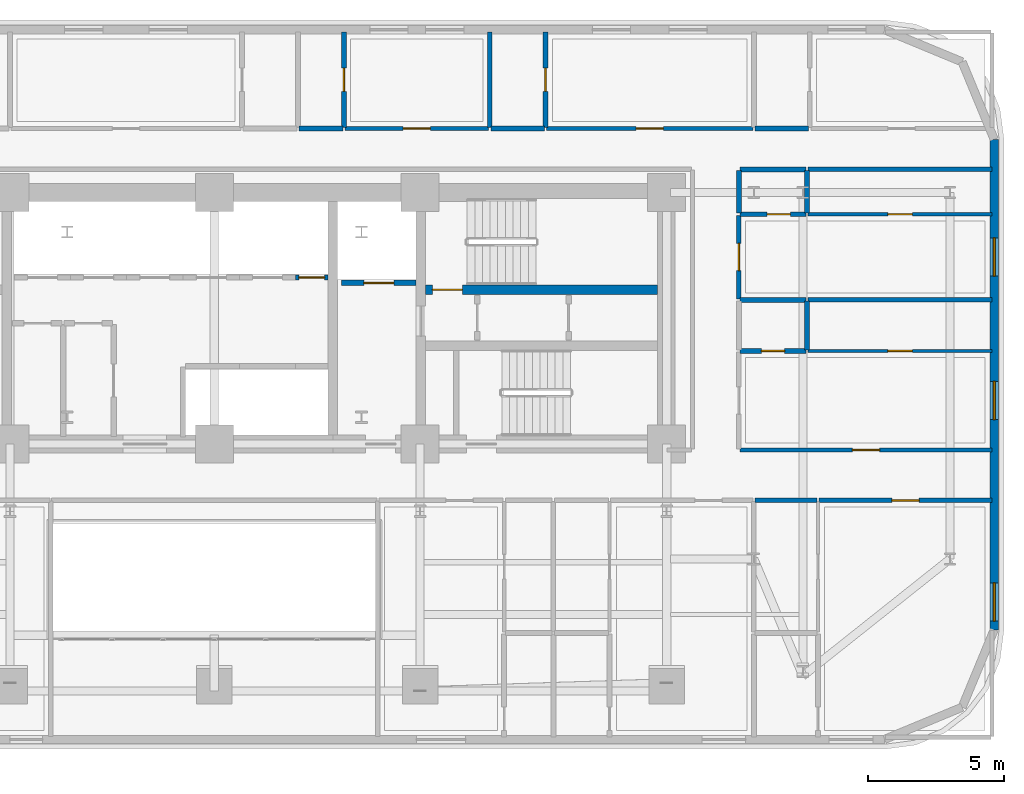
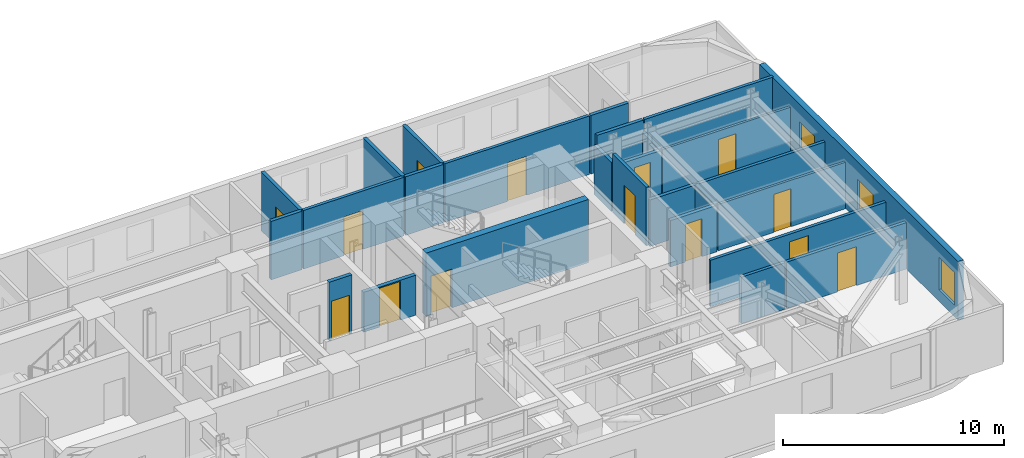
# One storey, part 12 of 16: 27 walls, 14 doors, 3 windows, 17 openings.
"""IFC4 building model written with IfcOpenShell, lengths in metres."""

from ifc_helpers import new_model, si_unit, direction, frame, frame_2d, origin, place, context, subcontext, project, spatial, rectangle, extrude, material, layer, layer_set, type_object, element, fill, save


model = new_model("IFC4")

# Units and contexts
model_context = context("Model", 3, precision=1e-05, world=origin(), true_north=direction((0.0, 1.0)))
body_context = subcontext(model_context, "Body", "Model", "MODEL_VIEW")
ifc_project = project(units=[si_unit("LENGTHUNIT", "METRE"), si_unit("AREAUNIT", "SQUARE_METRE"), si_unit("VOLUMEUNIT", "CUBIC_METRE"), si_unit("PLANEANGLEUNIT", "RADIAN"), si_unit("MASSUNIT", "GRAM", prefix="KILO")], contexts=[model_context])

# Site, building, storey
site_placement = place(None, origin())
site = spatial("IfcSite", under=ifc_project, at=site_placement, CompositionType="ELEMENT")
building_placement = place(site_placement, origin())
building = spatial("IfcBuilding", under=site, at=building_placement, Name="Zarnavel Station Tower", CompositionType="ELEMENT")
storey_placement = place(building_placement, frame((0.0, 0.0, 79.300048828125)))
storey = spatial("IfcBuildingStorey", under=building, at=storey_placement, Name="L21", CompositionType="ELEMENT", Elevation=79.300048828125)

# Wall, opening, door
ifc_material_1 = material(Name="Concrete C50/60", Category="concrete")
ifc_layer_1 = layer(ifc_material_1, 0.35009765625)
ifc_layer_set_1 = layer_set([ifc_layer_1], Name="CW_350")
wall_type_1 = type_object("IfcWallType", Name="CW_350", PredefinedType="SHEAR", material=ifc_layer_set_1)
wall_1_placement = place(storey_placement, frame((45.054931640625, 33.47998046875, 0.0), z_axis=(0.0, 0.0, 1.0), x_axis=(-1.0, 0.0, 0.0)))
wall_1 = element("IfcWall", 1, at=wall_1_placement, inside=storey, type_object=wall_type_1, Name="L21 Rear Core Shear Wall DIV-H2", PredefinedType="SHEAR", context=body_context, shape_type="SweptSolid", body=[
    extrude(rectangle(XDim=8.5, YDim=0.35009765625, at=frame_2d((4.25, 0.0))), origin(), (0.0, 0.0, 1.0), 3.5),
])
opening_1_placement = place(wall_1_placement, frame((7.155029296875, 0.0, 0.0)))
opening_1 = element("IfcOpeningElement", 2, at=opening_1_placement, cuts=wall_1, Name="Opening FD01", PredefinedType="OPENING", context=body_context, shape_type="SweptSolid", body=[
    extrude(rectangle(XDim=1.10009765625, YDim=2.14990234375, at=frame_2d((0.550048828125, 1.074951171875))), frame((0.0, 0.18505859375, 0.0), z_axis=(0.0, -1.0, 0.0), x_axis=(1.0, 0.0, 0.0)), (0.0, 0.0, 1.0), 0.3701171875),
])
ifc_material_2 = material(Name="Painted Galvanised Steel and Hardwood Leaf", Category="steel")
door_type_1 = type_object("IfcDoorType", Name="ID_STAIR_1100", OperationType="NOTDEFINED", PredefinedType="DOOR", material=ifc_material_2)
door_1_placement = place(opening_1_placement, origin())
door_1 = element("IfcDoor", 3, at=door_1_placement, inside=storey, type_object=door_type_1, Name="L21 Stair ST2 Lobby Fire Door", OperationType="SINGLE_SWING_RIGHT", OverallHeight=2.14990234375, OverallWidth=1.10009765625, PredefinedType="DOOR", context=body_context, shape_type="SweptSolid", body=[
    extrude(rectangle(XDim=1.10009765625, YDim=2.14990234375, at=frame_2d((0.550048828125, 1.074951171875))), frame((0.0, 0.02490234375, 0.0), z_axis=(0.0, -1.0, 0.0), x_axis=(1.0, 0.0, 0.0)), (0.0, 0.0, 1.0), 0.050048828125),
])
fill(opening_1, door_1)

# Wall, openings, windows
ifc_material_3 = material(Name="Precast concrete C45/55 (Dark Basalt Finish)", Category="masonry")
ifc_layer_2 = layer(ifc_material_3, 0.300048828125)
ifc_layer_set_2 = layer_set([ifc_layer_2], Name="EW_BASALT_300")
wall_type_2 = type_object("IfcWallType", Name="EW_BASALT_300", PredefinedType="SOLIDWALL", material=ifc_layer_set_2)
wall_2_placement = place(storey_placement, frame((57.419921875, 39.0, 0.0), z_axis=(0.0, 0.0, 1.0), x_axis=(0.0, -1.0, 0.0)))
wall_2 = element("IfcWall", 4, at=wall_2_placement, inside=storey, type_object=wall_type_2, Name="L21 Exterior Basalt Masonry Frame Wall 03", PredefinedType="SOLIDWALL", context=body_context, shape_type="SweptSolid", body=[
    extrude(rectangle(XDim=18.0, YDim=0.300048828125, at=frame_2d((9.0, 0.0))), origin(), (0.0, 0.0, 1.0), 3.239990234375),
])
opening_2_placement = place(wall_2_placement, frame((8.882080078125, 0.0, 0.47998046875)))
opening_2 = element("IfcOpeningElement", 5, at=opening_2_placement, cuts=wall_2, Name="Opening WN01", PredefinedType="OPENING", context=body_context, shape_type="SweptSolid", body=[
    extrude(rectangle(XDim=1.39990234375, YDim=1.800048828125, at=frame_2d((0.699951171875, 0.89990234375))), frame((0.0, 0.159912109375, 0.0), z_axis=(0.0, -1.0, 0.0), x_axis=(1.0, 0.0, 0.0)), (0.0, 0.0, 1.0), 0.320068359375),
])
opening_3_placement = place(wall_2_placement, frame((3.62060546875, 0.0, 0.47998046875)))
opening_3 = element("IfcOpeningElement", 6, at=opening_3_placement, cuts=wall_2, Name="Opening WN01", PredefinedType="OPENING", context=body_context, shape_type="SweptSolid", body=[
    extrude(rectangle(XDim=1.39990234375, YDim=1.800048828125, at=frame_2d((0.699951171875, 0.89990234375))), frame((0.0, 0.159912109375, 0.0), z_axis=(0.0, -1.0, 0.0), x_axis=(1.0, 0.0, 0.0)), (0.0, 0.0, 1.0), 0.320068359375),
])
opening_4_placement = place(wall_2_placement, frame((16.280029296875, 0.0, 0.64990234375)))
opening_4 = element("IfcOpeningElement", 7, at=opening_4_placement, cuts=wall_2, Name="Opening WN01", PredefinedType="OPENING", context=body_context, shape_type="SweptSolid", body=[
    extrude(rectangle(XDim=1.39990234375, YDim=1.800048828125, at=frame_2d((0.699951171875, 0.89990234375))), frame((0.0, 0.159912109375, 0.0), z_axis=(0.0, -1.0, 0.0), x_axis=(1.0, 0.0, 0.0)), (0.0, 0.0, 1.0), 0.320068359375),
])
ifc_material_4 = material(Name="Thermally Broken Black Aluminium and Low-E Dark Glass", Category="aluminium")
window_type = type_object("IfcWindowType", Name="WN_1400x1800", PartitioningType="DOUBLE_PANEL_VERTICAL", PredefinedType="WINDOW", material=ifc_material_4)
window_1_placement = place(opening_2_placement, origin())
window_1 = element("IfcWindow", 8, at=window_1_placement, inside=storey, type_object=window_type, Name="L21 Recessed Facade Window 01", OverallHeight=1.800048828125, OverallWidth=1.39990234375, PartitioningType="SINGLE_PANEL", PredefinedType="WINDOW", context=body_context, shape_type="SweptSolid", body=[
    extrude(rectangle(XDim=1.39990234375, YDim=1.800048828125, at=frame_2d((0.699951171875, 0.89990234375))), frame((0.0, 0.030029296875, 0.0), z_axis=(0.0, -1.0, 0.0), x_axis=(1.0, 0.0, 0.0)), (0.0, 0.0, 1.0), 0.06005859375),
])
fill(opening_2, window_1)
window_2_placement = place(opening_3_placement, origin())
window_2 = element("IfcWindow", 9, at=window_2_placement, inside=storey, type_object=window_type, Name="L21 Recessed Facade Window 02", OverallHeight=1.800048828125, OverallWidth=1.39990234375, PartitioningType="SINGLE_PANEL", PredefinedType="WINDOW", context=body_context, shape_type="SweptSolid", body=[
    extrude(rectangle(XDim=1.39990234375, YDim=1.800048828125, at=frame_2d((0.699951171875, 0.89990234375))), frame((0.0, 0.030029296875, 0.0), z_axis=(0.0, -1.0, 0.0), x_axis=(1.0, 0.0, 0.0)), (0.0, 0.0, 1.0), 0.06005859375),
])
fill(opening_3, window_2)
window_3_placement = place(opening_4_placement, origin())
window_3 = element("IfcWindow", 10, at=window_3_placement, inside=storey, type_object=window_type, Name="L21 Recessed Facade Window 03", OverallHeight=1.800048828125, OverallWidth=1.39990234375, PartitioningType="SINGLE_PANEL", PredefinedType="WINDOW", context=body_context, shape_type="SweptSolid", body=[
    extrude(rectangle(XDim=1.39990234375, YDim=1.800048828125, at=frame_2d((0.699951171875, 0.89990234375))), frame((0.0, 0.030029296875, 0.0), z_axis=(0.0, -1.0, 0.0), x_axis=(1.0, 0.0, 0.0)), (0.0, 0.0, 1.0), 0.06005859375),
])
fill(opening_4, window_3)

# Wall, opening, door
ifc_material_5 = material(Name="Gypsum Twin-Stud Acoustic Fire Partition", Category="concrete")
ifc_layer_3 = layer(ifc_material_5, 0.159912109375)
ifc_layer_set_3 = layer_set([ifc_layer_3], Name="PT_DEMISE_160")
wall_type_3 = type_object("IfcWallType", Name="PT_DEMISE_160", PredefinedType="PARTITIONING", material=ifc_layer_set_3)
wall_3_placement = place(storey_placement, frame((48.090087890625, 27.60009765625, 0.0), z_axis=(0.0, 0.0, 1.0), x_axis=(1.0, 0.0, 0.0)))
wall_3 = element("IfcWall", 11, at=wall_3_placement, inside=storey, type_object=wall_type_3, Name="L21 Partition COR-S-FNE1R", PredefinedType="PARTITIONING", context=body_context, shape_type="SweptSolid", body=[
    extrude(rectangle(XDim=9.25, YDim=0.159912109375, at=frame_2d((4.625, 0.0))), origin(), (0.0, 0.0, 1.0), 2.570068359375),
])
opening_5_placement = place(wall_3_placement, frame((4.125, 0.0, 0.0)))
opening_5 = element("IfcOpeningElement", 12, at=opening_5_placement, cuts=wall_3, Name="Opening FD02", PredefinedType="OPENING", context=body_context, shape_type="SweptSolid", body=[
    extrude(rectangle(XDim=1.0, YDim=2.14990234375, at=frame_2d((0.5, 1.074951171875))), frame((0.0, 0.08984375, 0.0), z_axis=(0.0, -1.0, 0.0), x_axis=(1.0, 0.0, 0.0)), (0.0, 0.0, 1.0), 0.179931640625),
])
ifc_material_6 = material(Name="Painted Galvanised Steel and Hardwood Leaf", Category="steel")
door_type_2 = type_object("IfcDoorType", Name="ID_ENTRY_1000", OperationType="NOTDEFINED", PredefinedType="DOOR", material=ifc_material_6)
door_2_placement = place(opening_5_placement, origin())
door_2 = element("IfcDoor", 13, at=door_2_placement, inside=storey, type_object=door_type_2, Name="L21 Door COR-S-FNE1R", OperationType="SINGLE_SWING_RIGHT", OverallHeight=2.14990234375, OverallWidth=1.0, PredefinedType="DOOR", context=body_context, shape_type="SweptSolid", body=[
    extrude(rectangle(XDim=1.0, YDim=2.14990234375, at=frame_2d((0.5, 1.074951171875))), frame((0.0, 0.02490234375, 0.0), z_axis=(0.0, -1.0, 0.0), x_axis=(1.0, 0.0, 0.0)), (0.0, 0.0, 1.0), 0.050048828125),
])
fill(opening_5, door_2)

wall_4_placement = place(storey_placement, frame((50.989990234375, 25.75, 0.0), z_axis=(0.0, 0.0, 1.0), x_axis=(1.0, 0.0, 0.0)))
wall_4 = element("IfcWall", 14, at=wall_4_placement, inside=storey, type_object=wall_type_3, Name="L21 Partition COR-S-HE3R", PredefinedType="PARTITIONING", context=body_context, shape_type="SweptSolid", body=[
    extrude(rectangle(XDim=6.35009765625, YDim=0.159912109375, at=frame_2d((3.175048828125, 0.0))), origin(), (0.0, 0.0, 1.0), 2.570068359375),
])
opening_6_placement = place(wall_4_placement, frame((2.675048828125, 0.0, 0.0)))
opening_6 = element("IfcOpeningElement", 15, at=opening_6_placement, cuts=wall_4, Name="Opening FD02", PredefinedType="OPENING", context=body_context, shape_type="SweptSolid", body=[
    extrude(rectangle(XDim=1.0, YDim=2.14990234375, at=frame_2d((0.5, 1.074951171875))), frame((0.0, 0.08984375, 0.0), z_axis=(0.0, -1.0, 0.0), x_axis=(1.0, 0.0, 0.0)), (0.0, 0.0, 1.0), 0.179931640625),
])
door_3_placement = place(opening_6_placement, origin())
door_3 = element("IfcDoor", 16, at=door_3_placement, inside=storey, type_object=door_type_2, Name="L21 Door COR-S-HE3R", OperationType="SINGLE_SWING_RIGHT", OverallHeight=2.14990234375, OverallWidth=1.0, PredefinedType="DOOR", context=body_context, shape_type="SweptSolid", body=[
    extrude(rectangle(XDim=1.0, YDim=2.14990234375, at=frame_2d((0.5, 1.074951171875))), frame((0.0, 0.02490234375, 0.0), z_axis=(0.0, -1.0, 0.0), x_axis=(1.0, 0.0, 0.0)), (0.0, 0.0, 1.0), 0.050048828125),
])
fill(opening_6, door_3)

# Wall
wall_5_placement = place(storey_placement, frame((48.639892578125, 25.75, 0.0), z_axis=(0.0, 0.0, 1.0), x_axis=(1.0, 0.0, 0.0)))
element("IfcWall", 17, at=wall_5_placement, inside=storey, type_object=wall_type_3, Name="L21 Partition COR-S-HE3S", PredefinedType="PARTITIONING", context=body_context, shape_type="SweptSolid", body=[
    extrude(rectangle(XDim=2.27001953125, YDim=0.159912109375, at=frame_2d((1.135009765625, 0.0))), origin(), (0.0, 0.0, 1.0), 2.570068359375),
])

# Wall, opening, door
wall_6_placement = place(storey_placement, frame((48.050048828125, 33.14892578125, 0.0), z_axis=(0.0, 0.0, 1.0), x_axis=(0.0, 1.0, 0.0)))
wall_6 = element("IfcWall", 18, at=wall_6_placement, inside=storey, type_object=wall_type_3, Name="L21 Partition COR-E-FNE2R", PredefinedType="PARTITIONING", context=body_context, shape_type="SweptSolid", body=[
    extrude(rectangle(XDim=3.06103515625, YDim=0.159912109375, at=frame_2d((1.530517578125, 0.0))), origin(), (0.0, 0.0, 1.0), 3.239990234375),
])
opening_7_placement = place(wall_6_placement, frame((1.030517578125, 0.0, 0.0)))
opening_7 = element("IfcOpeningElement", 19, at=opening_7_placement, cuts=wall_6, Name="Opening FD02", PredefinedType="OPENING", context=body_context, shape_type="SweptSolid", body=[
    extrude(rectangle(XDim=1.0, YDim=2.14990234375, at=frame_2d((0.5, 1.074951171875))), frame((0.0, 0.08984375, 0.0), z_axis=(0.0, -1.0, 0.0), x_axis=(1.0, 0.0, 0.0)), (0.0, 0.0, 1.0), 0.179931640625),
])
door_4_placement = place(opening_7_placement, origin())
door_4 = element("IfcDoor", 20, at=door_4_placement, inside=storey, type_object=door_type_2, Name="L21 Door COR-E-FNE2R", OperationType="SINGLE_SWING_RIGHT", OverallHeight=2.14990234375, OverallWidth=1.0, PredefinedType="DOOR", context=body_context, shape_type="SweptSolid", body=[
    extrude(rectangle(XDim=1.0, YDim=2.14990234375, at=frame_2d((0.5, 1.074951171875))), frame((0.0, 0.02490234375, 0.0), z_axis=(0.0, -1.0, 0.0), x_axis=(1.0, 0.0, 0.0)), (0.0, 0.0, 1.0), 0.050048828125),
])
fill(opening_7, door_4)

# Wall
wall_7_placement = place(storey_placement, frame((50.590087890625, 37.89990234375, 0.0), z_axis=(0.0, 0.0, 1.0), x_axis=(1.0, 0.0, 0.0)))
element("IfcWall", 21, at=wall_7_placement, inside=storey, type_object=wall_type_3, Name="L21 Partition COR-N-FNE2S", PredefinedType="PARTITIONING", context=body_context, shape_type="SweptSolid", body=[
    extrude(rectangle(XDim=6.75, YDim=0.159912109375, at=frame_2d((3.375, 0.0))), origin(), (0.0, 0.0, 1.0), 3.239990234375),
])

# Wall, opening, door
wall_8_placement = place(storey_placement, frame((33.594970703125, 39.39990234375, 0.0), z_axis=(0.0, 0.0, 1.0), x_axis=(1.0, 0.0, 0.0)))
wall_8 = element("IfcWall", 22, at=wall_8_placement, inside=storey, type_object=wall_type_3, Name="L21 Partition COR-N-HN3R", PredefinedType="PARTITIONING", context=body_context, shape_type="SweptSolid", body=[
    extrude(rectangle(XDim=5.27294921875, YDim=0.159912109375, at=frame_2d((2.636474609375, 0.0))), origin(), (0.0, 0.0, 1.0), 3.239990234375),
])
opening_8_placement = place(wall_8_placement, frame((2.136474609375, 0.0, 0.0)))
opening_8 = element("IfcOpeningElement", 23, at=opening_8_placement, cuts=wall_8, Name="Opening FD02", PredefinedType="OPENING", context=body_context, shape_type="SweptSolid", body=[
    extrude(rectangle(XDim=1.0, YDim=2.14990234375, at=frame_2d((0.5, 1.074951171875))), frame((0.0, 0.08984375, 0.0), z_axis=(0.0, -1.0, 0.0), x_axis=(1.0, 0.0, 0.0)), (0.0, 0.0, 1.0), 0.179931640625),
])
door_5_placement = place(opening_8_placement, origin())
door_5 = element("IfcDoor", 24, at=door_5_placement, inside=storey, type_object=door_type_2, Name="L21 Door COR-N-HN3R", OperationType="SINGLE_SWING_RIGHT", OverallHeight=2.14990234375, OverallWidth=1.0, PredefinedType="DOOR", context=body_context, shape_type="SweptSolid", body=[
    extrude(rectangle(XDim=1.0, YDim=2.14990234375, at=frame_2d((0.5, 1.074951171875))), frame((0.0, 0.02490234375, 0.0), z_axis=(0.0, -1.0, 0.0), x_axis=(1.0, 0.0, 0.0)), (0.0, 0.0, 1.0), 0.050048828125),
])
fill(opening_8, door_5)

wall_9_placement = place(storey_placement, frame((40.998046875, 39.39990234375, 0.0), z_axis=(0.0, 0.0, 1.0), x_axis=(1.0, 0.0, 0.0)))
wall_9 = element("IfcWall", 25, at=wall_9_placement, inside=storey, type_object=wall_type_3, Name="L21 Partition COR-N-HN4R", PredefinedType="PARTITIONING", context=body_context, shape_type="SweptSolid", body=[
    extrude(rectangle(XDim=7.56201171875, YDim=0.159912109375, at=frame_2d((3.781005859375, 0.0))), origin(), (0.0, 0.0, 1.0), 3.239990234375),
])
opening_9_placement = place(wall_9_placement, frame((3.281005859375, 0.0, 0.0)))
opening_9 = element("IfcOpeningElement", 26, at=opening_9_placement, cuts=wall_9, Name="Opening FD02", PredefinedType="OPENING", context=body_context, shape_type="SweptSolid", body=[
    extrude(rectangle(XDim=1.0, YDim=2.14990234375, at=frame_2d((0.5, 1.074951171875))), frame((0.0, 0.08984375, 0.0), z_axis=(0.0, -1.0, 0.0), x_axis=(1.0, 0.0, 0.0)), (0.0, 0.0, 1.0), 0.179931640625),
])
door_6_placement = place(opening_9_placement, origin())
door_6 = element("IfcDoor", 27, at=door_6_placement, inside=storey, type_object=door_type_2, Name="L21 Door COR-N-HN4R", OperationType="SINGLE_SWING_LEFT", OverallHeight=2.14990234375, OverallWidth=1.0, PredefinedType="DOOR", context=body_context, shape_type="SweptSolid", body=[
    extrude(rectangle(XDim=1.0, YDim=2.14990234375, at=frame_2d((0.5, 1.074951171875))), frame((0.0, 0.02490234375, 0.0), z_axis=(0.0, -1.0, 0.0), x_axis=(1.0, 0.0, 0.0)), (0.0, 0.0, 1.0), 0.050048828125),
])
fill(opening_9, door_6)

# Wall
wall_10_placement = place(storey_placement, frame((50.590087890625, 33.10888671875, 0.0), z_axis=(0.0, 0.0, 1.0), x_axis=(1.0, 0.0, 0.0)))
element("IfcWall", 28, at=wall_10_placement, inside=storey, type_object=wall_type_3, Name="L21 Partition FNE1S-FNE2R", PredefinedType="PARTITIONING", context=body_context, shape_type="SweptSolid", body=[
    extrude(rectangle(XDim=6.75, YDim=0.159912109375, at=frame_2d((3.375, 0.0))), origin(), (0.0, 0.0, 1.0), 2.570068359375),
])

# Wall, opening, door
ifc_material_7 = material(Name="Gypsum Metal-Stud Interior Partition", Category="concrete")
ifc_layer_4 = layer(ifc_material_7, 0.1201171875)
ifc_layer_set_4 = layer_set([ifc_layer_4], Name="PT_ROOM_120")
wall_type_4 = type_object("IfcWallType", Name="PT_ROOM_120", PredefinedType="PARTITIONING", material=ifc_layer_set_4)
wall_11_placement = place(storey_placement, frame((50.590087890625, 31.236083984375, 0.0), z_axis=(0.0, 0.0, 1.0), x_axis=(1.0, 0.0, 0.0)))
wall_11 = element("IfcWall", 29, at=wall_11_placement, inside=storey, type_object=wall_type_4, Name="L21 Partition FNE1R-FNE1S", PredefinedType="PARTITIONING", context=body_context, shape_type="SweptSolid", body=[
    extrude(rectangle(XDim=6.75, YDim=0.1201171875, at=frame_2d((3.375, 0.0))), origin(), (0.0, 0.0, 1.0), 2.570068359375),
])
opening_10_placement = place(wall_11_placement, frame((2.925048828125, 0.0, 0.0)))
opening_10 = element("IfcOpeningElement", 30, at=opening_10_placement, cuts=wall_11, Name="Opening ID01", PredefinedType="OPENING", context=body_context, shape_type="SweptSolid", body=[
    extrude(rectangle(XDim=0.89990234375, YDim=2.10009765625, at=frame_2d((0.449951171875, 1.050048828125))), frame((0.0, 0.070068359375, 0.0), z_axis=(0.0, -1.0, 0.0), x_axis=(1.0, 0.0, 0.0)), (0.0, 0.0, 1.0), 0.14013671875),
])
ifc_material_8 = material(Name="Painted Galvanised Steel and Hardwood Leaf", Category="steel")
door_type_3 = type_object("IfcDoorType", Name="ID_ROOM_900", OperationType="NOTDEFINED", PredefinedType="DOOR", material=ifc_material_8)
door_7_placement = place(opening_10_placement, origin())
door_7 = element("IfcDoor", 31, at=door_7_placement, inside=storey, type_object=door_type_3, Name="L21 Door FNE1R-FNE1S", OperationType="SINGLE_SWING_RIGHT", OverallHeight=2.10009765625, OverallWidth=0.89990234375, PredefinedType="DOOR", context=body_context, shape_type="SweptSolid", body=[
    extrude(rectangle(XDim=0.89990234375, YDim=2.10009765625, at=frame_2d((0.449951171875, 1.050048828125))), frame((0.0, 0.02490234375, 0.0), z_axis=(0.0, -1.0, 0.0), x_axis=(1.0, 0.0, 0.0)), (0.0, 0.0, 1.0), 0.050048828125),
])
fill(opening_10, door_7)

wall_12_placement = place(storey_placement, frame((50.590087890625, 36.25, 0.0), z_axis=(0.0, 0.0, 1.0), x_axis=(1.0, 0.0, 0.0)))
wall_12 = element("IfcWall", 32, at=wall_12_placement, inside=storey, type_object=wall_type_4, Name="L21 Partition FNE2R-FNE2S", PredefinedType="PARTITIONING", context=body_context, shape_type="SweptSolid", body=[
    extrude(rectangle(XDim=6.75, YDim=0.1201171875, at=frame_2d((3.375, 0.0))), origin(), (0.0, 0.0, 1.0), 2.570068359375),
])
opening_11_placement = place(wall_12_placement, frame((2.925048828125, 0.0, 0.0)))
opening_11 = element("IfcOpeningElement", 33, at=opening_11_placement, cuts=wall_12, Name="Opening ID01", PredefinedType="OPENING", context=body_context, shape_type="SweptSolid", body=[
    extrude(rectangle(XDim=0.89990234375, YDim=2.10009765625, at=frame_2d((0.449951171875, 1.050048828125))), frame((0.0, 0.070068359375, 0.0), z_axis=(0.0, -1.0, 0.0), x_axis=(1.0, 0.0, 0.0)), (0.0, 0.0, 1.0), 0.14013671875),
])
door_8_placement = place(opening_11_placement, origin())
door_8 = element("IfcDoor", 34, at=door_8_placement, inside=storey, type_object=door_type_3, Name="L21 Door FNE2R-FNE2S", OperationType="SINGLE_SWING_RIGHT", OverallHeight=2.10009765625, OverallWidth=0.89990234375, PredefinedType="DOOR", context=body_context, shape_type="SweptSolid", body=[
    extrude(rectangle(XDim=0.89990234375, YDim=2.10009765625, at=frame_2d((0.449951171875, 1.050048828125))), frame((0.0, 0.02490234375, 0.0), z_axis=(0.0, -1.0, 0.0), x_axis=(1.0, 0.0, 0.0)), (0.0, 0.0, 1.0), 0.050048828125),
])
fill(opening_11, door_8)

ifc_material_9 = material(Name="Precast concrete C45/55 (Fire Shaft Blockwork)", Category="masonry")
ifc_layer_5 = layer(ifc_material_9, 0.199951171875)
ifc_layer_set_5 = layer_set([ifc_layer_5], Name="PT_SHAFT_200")
wall_type_5 = type_object("IfcWallType", Name="PT_SHAFT_200", PredefinedType="PARTITIONING", material=ifc_layer_set_5)
wall_13_placement = place(storey_placement, frame((33.47509765625, 33.72998046875, 0.0), z_axis=(0.0, 0.0, 1.0), x_axis=(1.0, 0.0, 0.0)))
wall_13 = element("IfcWall", 35, at=wall_13_placement, inside=storey, type_object=wall_type_5, Name="L21 Lift FFL-02 Shaft Front Wall", PredefinedType="PARTITIONING", context=body_context, shape_type="SweptSolid", body=[
    extrude(rectangle(XDim=2.724853515625, YDim=0.199951171875, at=frame_2d((1.3623046875, 0.0))), origin(), (0.0, 0.0, 1.0), 2.2119140625),
])
opening_12_placement = place(wall_13_placement, frame((0.8125, 0.0, 0.0)))
opening_12 = element("IfcOpeningElement", 36, at=opening_12_placement, cuts=wall_13, Name="Opening LD01", PredefinedType="OPENING", context=body_context, shape_type="SweptSolid", body=[
    extrude(rectangle(XDim=1.10009765625, YDim=2.14990234375, at=frame_2d((0.550048828125, 1.074951171875))), frame((0.0, 0.10986328125, 0.0), z_axis=(0.0, -1.0, 0.0), x_axis=(1.0, 0.0, 0.0)), (0.0, 0.0, 1.0), 0.219970703125),
])
ifc_material_10 = material(Name="Painted Galvanised Steel and Hardwood Leaf", Category="steel")
door_type_4 = type_object("IfcDoorType", Name="LD_FF_1100", OperationType="DOUBLE_DOOR_SLIDING", PredefinedType="DOOR", material=ifc_material_10)
door_9_placement = place(opening_12_placement, origin())
door_9 = element("IfcDoor", 37, at=door_9_placement, inside=storey, type_object=door_type_4, Name="L21 Lift FFL-02 Sliding Landing Door", OperationType="DOUBLE_DOOR_SLIDING", OverallHeight=2.14990234375, OverallWidth=1.10009765625, PredefinedType="DOOR", context=body_context, shape_type="SweptSolid", body=[
    extrude(rectangle(XDim=1.10009765625, YDim=2.14990234375, at=frame_2d((0.550048828125, 1.074951171875))), frame((0.0, 0.02490234375, 0.0), z_axis=(0.0, -1.0, 0.0), x_axis=(1.0, 0.0, 0.0)), (0.0, 0.0, 1.0), 0.050048828125),
])
fill(opening_12, door_9)

wall_14_placement = place(storey_placement, frame((31.77490234375, 33.929931640625, 0.0), z_axis=(0.0, 0.0, 1.0), x_axis=(1.0, 0.0, 0.0)))
wall_14 = element("IfcWall", 38, at=wall_14_placement, inside=storey, type_object=wall_type_5, Name="L21 Lift PL-M3 Shaft Front Wall", PredefinedType="PARTITIONING", context=body_context, shape_type="SweptSolid", body=[
    extrude(rectangle(XDim=1.2001953125, YDim=0.199951171875, at=frame_2d((0.60009765625, 0.0))), origin(), (0.0, 0.0, 1.0), 3.239990234375),
])
opening_13_placement = place(wall_14_placement, frame((0.125, 0.0, 0.0)))
opening_13 = element("IfcOpeningElement", 39, at=opening_13_placement, cuts=wall_14, Name="Opening LD03", PredefinedType="OPENING", context=body_context, shape_type="SweptSolid", body=[
    extrude(rectangle(XDim=0.949951171875, YDim=2.14990234375, at=frame_2d((0.47509765625, 1.074951171875))), frame((0.0, 0.10986328125, 0.0), z_axis=(0.0, -1.0, 0.0), x_axis=(1.0, 0.0, 0.0)), (0.0, 0.0, 1.0), 0.219970703125),
])
ifc_material_11 = material(Name="Painted Galvanised Steel and Hardwood Leaf", Category="steel")
door_type_5 = type_object("IfcDoorType", Name="LD_PAX_0950", OperationType="DOUBLE_DOOR_SLIDING", PredefinedType="DOOR", material=ifc_material_11)
door_10_placement = place(opening_13_placement, origin())
door_10 = element("IfcDoor", 40, at=door_10_placement, inside=storey, type_object=door_type_5, Name="L21 Lift PL-M3 Sliding Landing Door", OperationType="DOUBLE_DOOR_SLIDING", OverallHeight=2.14990234375, OverallWidth=0.949951171875, PredefinedType="DOOR", context=body_context, shape_type="SweptSolid", body=[
    extrude(rectangle(XDim=0.949951171875, YDim=2.14990234375, at=frame_2d((0.47509765625, 1.074951171875))), frame((0.0, 0.02490234375, 0.0), z_axis=(0.0, -1.0, 0.0), x_axis=(1.0, 0.0, 0.0)), (0.0, 0.0, 1.0), 0.050048828125),
])
fill(opening_13, door_10)

# Walls
ifc_material_12 = material(Name="Moisture-Resistant Plumbing Chase Wall", Category="concrete")
ifc_layer_6 = layer(ifc_material_12, 0.179931640625)
ifc_layer_set_6 = layer_set([ifc_layer_6], Name="PW_PLUMB_180")
wall_type_6 = type_object("IfcWallType", Name="PW_PLUMB_180", PredefinedType="PLUMBINGWALL", material=ifc_layer_set_6)
wall_15_placement = place(storey_placement, frame((48.050048828125, 36.2900390625, 0.0), z_axis=(0.0, 0.0, 1.0), x_axis=(0.0, 1.0, 0.0)))
element("IfcWall", 41, at=wall_15_placement, inside=storey, type_object=wall_type_6, Name="L21 Partition COR-E-FNE2B", PredefinedType="PLUMBINGWALL", context=body_context, shape_type="SweptSolid", body=[
    extrude(rectangle(XDim=1.570068359375, YDim=0.179931640625, at=frame_2d((0.78515625, 0.0))), origin(), (0.0, 0.0, 1.0), 2.719970703125),
])
wall_16_placement = place(storey_placement, frame((48.090087890625, 37.89990234375, 0.0), z_axis=(0.0, 0.0, 1.0), x_axis=(1.0, 0.0, 0.0)))
element("IfcWall", 42, at=wall_16_placement, inside=storey, type_object=wall_type_6, Name="L21 Partition COR-N-FNE2B", PredefinedType="PLUMBINGWALL", context=body_context, shape_type="SweptSolid", body=[
    extrude(rectangle(XDim=2.419921875, YDim=0.179931640625, at=frame_2d((1.2099609375, 0.0))), origin(), (0.0, 0.0, 1.0), 3.239990234375),
])
wall_17_placement = place(storey_placement, frame((31.905029296875, 39.39990234375, 0.0), z_axis=(0.0, 0.0, 1.0), x_axis=(1.0, 0.0, 0.0)))
element("IfcWall", 43, at=wall_17_placement, inside=storey, type_object=wall_type_6, Name="L21 Partition COR-N-HN3B", PredefinedType="PLUMBINGWALL", context=body_context, shape_type="SweptSolid", body=[
    extrude(rectangle(XDim=1.60986328125, YDim=0.179931640625, at=frame_2d((0.804931640625, 0.0))), origin(), (0.0, 0.0, 1.0), 3.239990234375),
])
wall_18_placement = place(storey_placement, frame((38.947998046875, 39.39990234375, 0.0), z_axis=(0.0, 0.0, 1.0), x_axis=(1.0, 0.0, 0.0)))
element("IfcWall", 44, at=wall_18_placement, inside=storey, type_object=wall_type_6, Name="L21 Partition COR-N-HN4B", PredefinedType="PLUMBINGWALL", context=body_context, shape_type="SweptSolid", body=[
    extrude(rectangle(XDim=1.969970703125, YDim=0.179931640625, at=frame_2d((0.98486328125, 0.0))), origin(), (0.0, 0.0, 1.0), 3.239990234375),
])
wall_19_placement = place(storey_placement, frame((48.639892578125, 39.39990234375, 0.0), z_axis=(0.0, 0.0, 1.0), x_axis=(1.0, 0.0, 0.0)))
element("IfcWall", 45, at=wall_19_placement, inside=storey, type_object=wall_type_6, Name="L21 Partition COR-N-HN5B", PredefinedType="PLUMBINGWALL", context=body_context, shape_type="SweptSolid", body=[
    extrude(rectangle(XDim=1.97021484375, YDim=0.179931640625, at=frame_2d((0.985107421875, 0.0))), origin(), (0.0, 0.0, 1.0), 3.239990234375),
])

# Wall, opening, door
wall_20_placement = place(storey_placement, frame((48.090087890625, 31.236083984375, 0.0), z_axis=(0.0, 0.0, 1.0), x_axis=(1.0, 0.0, 0.0)))
wall_20 = element("IfcWall", 46, at=wall_20_placement, inside=storey, type_object=wall_type_6, Name="L21 Partition FNE1R-FNE1B", PredefinedType="PLUMBINGWALL", context=body_context, shape_type="SweptSolid", body=[
    extrude(rectangle(XDim=2.419921875, YDim=0.179931640625, at=frame_2d((1.2099609375, 0.0))), origin(), (0.0, 0.0, 1.0), 2.570068359375),
])
opening_14_placement = place(wall_20_placement, frame((0.784912109375, 0.0, 0.0)))
opening_14 = element("IfcOpeningElement", 47, at=opening_14_placement, cuts=wall_20, Name="Opening ID02", PredefinedType="OPENING", context=body_context, shape_type="SweptSolid", body=[
    extrude(rectangle(XDim=0.85009765625, YDim=2.10009765625, at=frame_2d((0.425048828125, 1.050048828125))), frame((0.0, 0.099853515625, 0.0), z_axis=(0.0, -1.0, 0.0), x_axis=(1.0, 0.0, 0.0)), (0.0, 0.0, 1.0), 0.199951171875),
])
ifc_material_13 = material(Name="Painted Galvanised Steel and Hardwood Leaf", Category="steel")
door_type_6 = type_object("IfcDoorType", Name="ID_BATH_850", OperationType="NOTDEFINED", PredefinedType="DOOR", material=ifc_material_13)
door_11_placement = place(opening_14_placement, origin())
door_11 = element("IfcDoor", 48, at=door_11_placement, inside=storey, type_object=door_type_6, Name="L21 Door FNE1R-FNE1B", OperationType="SINGLE_SWING_LEFT", OverallHeight=2.10009765625, OverallWidth=0.85009765625, PredefinedType="DOOR", context=body_context, shape_type="SweptSolid", body=[
    extrude(rectangle(XDim=0.85009765625, YDim=2.10009765625, at=frame_2d((0.425048828125, 1.050048828125))), frame((0.0, 0.02490234375, 0.0), z_axis=(0.0, -1.0, 0.0), x_axis=(1.0, 0.0, 0.0)), (0.0, 0.0, 1.0), 0.050048828125),
])
fill(opening_14, door_11)

# Walls
wall_21_placement = place(storey_placement, frame((50.550048828125, 31.27587890625, 0.0), z_axis=(0.0, 0.0, 1.0), x_axis=(0.0, 1.0, 0.0)))
element("IfcWall", 49, at=wall_21_placement, inside=storey, type_object=wall_type_6, Name="L21 Partition FNE1B-FNE1S", PredefinedType="PLUMBINGWALL", context=body_context, shape_type="SweptSolid", body=[
    extrude(rectangle(XDim=1.793212890625, YDim=0.179931640625, at=frame_2d((0.896484375, 0.0))), origin(), (0.0, 0.0, 1.0), 2.570068359375),
])
wall_22_placement = place(storey_placement, frame((48.090087890625, 33.10888671875, 0.0), z_axis=(0.0, 0.0, 1.0), x_axis=(1.0, 0.0, 0.0)))
element("IfcWall", 50, at=wall_22_placement, inside=storey, type_object=wall_type_6, Name="L21 Partition FNE1B-FNE2R", PredefinedType="PLUMBINGWALL", context=body_context, shape_type="SweptSolid", body=[
    extrude(rectangle(XDim=2.419921875, YDim=0.179931640625, at=frame_2d((1.2099609375, 0.0))), origin(), (0.0, 0.0, 1.0), 2.570068359375),
])

# Wall, opening, door
wall_23_placement = place(storey_placement, frame((50.510009765625, 36.25, 0.0), z_axis=(0.0, 0.0, 1.0), x_axis=(-1.0, 0.0, 0.0)))
wall_23 = element("IfcWall", 51, at=wall_23_placement, inside=storey, type_object=wall_type_6, Name="L21 Partition FNE2R-FNE2B", PredefinedType="PLUMBINGWALL", context=body_context, shape_type="SweptSolid", body=[
    extrude(rectangle(XDim=2.419921875, YDim=0.179931640625, at=frame_2d((1.2099609375, 0.0))), origin(), (0.0, 0.0, 1.0), 2.570068359375),
])
opening_15_placement = place(wall_23_placement, frame((0.570068359375, 0.0, 0.0)))
opening_15 = element("IfcOpeningElement", 52, at=opening_15_placement, cuts=wall_23, Name="Opening ID02", PredefinedType="OPENING", context=body_context, shape_type="SweptSolid", body=[
    extrude(rectangle(XDim=0.85009765625, YDim=2.10009765625, at=frame_2d((0.425048828125, 1.050048828125))), frame((0.0, 0.099853515625, 0.0), z_axis=(0.0, -1.0, 0.0), x_axis=(1.0, 0.0, 0.0)), (0.0, 0.0, 1.0), 0.199951171875),
])
door_12_placement = place(opening_15_placement, origin())
door_12 = element("IfcDoor", 53, at=door_12_placement, inside=storey, type_object=door_type_6, Name="L21 Door FNE2R-FNE2B", OperationType="SINGLE_SWING_LEFT", OverallHeight=2.10009765625, OverallWidth=0.85009765625, PredefinedType="DOOR", context=body_context, shape_type="SweptSolid", body=[
    extrude(rectangle(XDim=0.85009765625, YDim=2.10009765625, at=frame_2d((0.425048828125, 1.050048828125))), frame((0.0, 0.02490234375, 0.0), z_axis=(0.0, -1.0, 0.0), x_axis=(1.0, 0.0, 0.0)), (0.0, 0.0, 1.0), 0.050048828125),
])
fill(opening_15, door_12)

# Wall
wall_24_placement = place(storey_placement, frame((50.550048828125, 36.2900390625, 0.0), z_axis=(0.0, 0.0, 1.0), x_axis=(0.0, 1.0, 0.0)))
element("IfcWall", 54, at=wall_24_placement, inside=storey, type_object=wall_type_6, Name="L21 Partition FNE2B-FNE2S", PredefinedType="PLUMBINGWALL", context=body_context, shape_type="SweptSolid", body=[
    extrude(rectangle(XDim=1.570068359375, YDim=0.179931640625, at=frame_2d((0.78515625, 0.0))), origin(), (0.0, 0.0, 1.0), 2.570068359375),
])

# Wall, opening, door
wall_25_placement = place(storey_placement, frame((33.554931640625, 39.43994140625, 0.0), z_axis=(0.0, 0.0, 1.0), x_axis=(0.0, 1.0, 0.0)))
wall_25 = element("IfcWall", 55, at=wall_25_placement, inside=storey, type_object=wall_type_6, Name="L21 Partition HN3R-HN3B", PredefinedType="PLUMBINGWALL", context=body_context, shape_type="SweptSolid", body=[
    extrude(rectangle(XDim=3.5, YDim=0.179931640625, at=frame_2d((1.75, 0.0))), origin(), (0.0, 0.0, 1.0), 3.239990234375),
])
opening_16_placement = place(wall_25_placement, frame((1.324951171875, 0.0, 0.0)))
opening_16 = element("IfcOpeningElement", 56, at=opening_16_placement, cuts=wall_25, Name="Opening ID02", PredefinedType="OPENING", context=body_context, shape_type="SweptSolid", body=[
    extrude(rectangle(XDim=0.85009765625, YDim=2.10009765625, at=frame_2d((0.425048828125, 1.050048828125))), frame((0.0, 0.099853515625, 0.0), z_axis=(0.0, -1.0, 0.0), x_axis=(1.0, 0.0, 0.0)), (0.0, 0.0, 1.0), 0.199951171875),
])
door_13_placement = place(opening_16_placement, origin())
door_13 = element("IfcDoor", 57, at=door_13_placement, inside=storey, type_object=door_type_6, Name="L21 Door HN3R-HN3B", OperationType="SINGLE_SWING_LEFT", OverallHeight=2.10009765625, OverallWidth=0.85009765625, PredefinedType="DOOR", context=body_context, shape_type="SweptSolid", body=[
    extrude(rectangle(XDim=0.85009765625, YDim=2.10009765625, at=frame_2d((0.425048828125, 1.050048828125))), frame((0.0, 0.02490234375, 0.0), z_axis=(0.0, -1.0, 0.0), x_axis=(1.0, 0.0, 0.0)), (0.0, 0.0, 1.0), 0.050048828125),
])
fill(opening_16, door_13)

# Wall
wall_26_placement = place(storey_placement, frame((38.907958984375, 39.43994140625, 0.0), z_axis=(0.0, 0.0, 1.0), x_axis=(0.0, 1.0, 0.0)))
element("IfcWall", 58, at=wall_26_placement, inside=storey, type_object=wall_type_6, Name="L21 Partition HN3R-HN4B", PredefinedType="PLUMBINGWALL", context=body_context, shape_type="SweptSolid", body=[
    extrude(rectangle(XDim=3.5, YDim=0.179931640625, at=frame_2d((1.75, 0.0))), origin(), (0.0, 0.0, 1.0), 3.239990234375),
])

# Wall, opening, door
wall_27_placement = place(storey_placement, frame((40.9580078125, 39.43994140625, 0.0), z_axis=(0.0, 0.0, 1.0), x_axis=(0.0, 1.0, 0.0)))
wall_27 = element("IfcWall", 59, at=wall_27_placement, inside=storey, type_object=wall_type_6, Name="L21 Partition HN4R-HN4B", PredefinedType="PLUMBINGWALL", context=body_context, shape_type="SweptSolid", body=[
    extrude(rectangle(XDim=3.5, YDim=0.179931640625, at=frame_2d((1.75, 0.0))), origin(), (0.0, 0.0, 1.0), 3.239990234375),
])
opening_17_placement = place(wall_27_placement, frame((1.324951171875, 0.0, 0.0)))
opening_17 = element("IfcOpeningElement", 60, at=opening_17_placement, cuts=wall_27, Name="Opening ID02", PredefinedType="OPENING", context=body_context, shape_type="SweptSolid", body=[
    extrude(rectangle(XDim=0.85009765625, YDim=2.10009765625, at=frame_2d((0.425048828125, 1.050048828125))), frame((0.0, 0.099853515625, 0.0), z_axis=(0.0, -1.0, 0.0), x_axis=(1.0, 0.0, 0.0)), (0.0, 0.0, 1.0), 0.199951171875),
])
door_14_placement = place(opening_17_placement, origin())
door_14 = element("IfcDoor", 61, at=door_14_placement, inside=storey, type_object=door_type_6, Name="L21 Door HN4R-HN4B", OperationType="SINGLE_SWING_RIGHT", OverallHeight=2.10009765625, OverallWidth=0.85009765625, PredefinedType="DOOR", context=body_context, shape_type="SweptSolid", body=[
    extrude(rectangle(XDim=0.85009765625, YDim=2.10009765625, at=frame_2d((0.425048828125, 1.050048828125))), frame((0.0, 0.02490234375, 0.0), z_axis=(0.0, -1.0, 0.0), x_axis=(1.0, 0.0, 0.0)), (0.0, 0.0, 1.0), 0.050048828125),
])
fill(opening_17, door_14)

save(model, "model.ifc")
